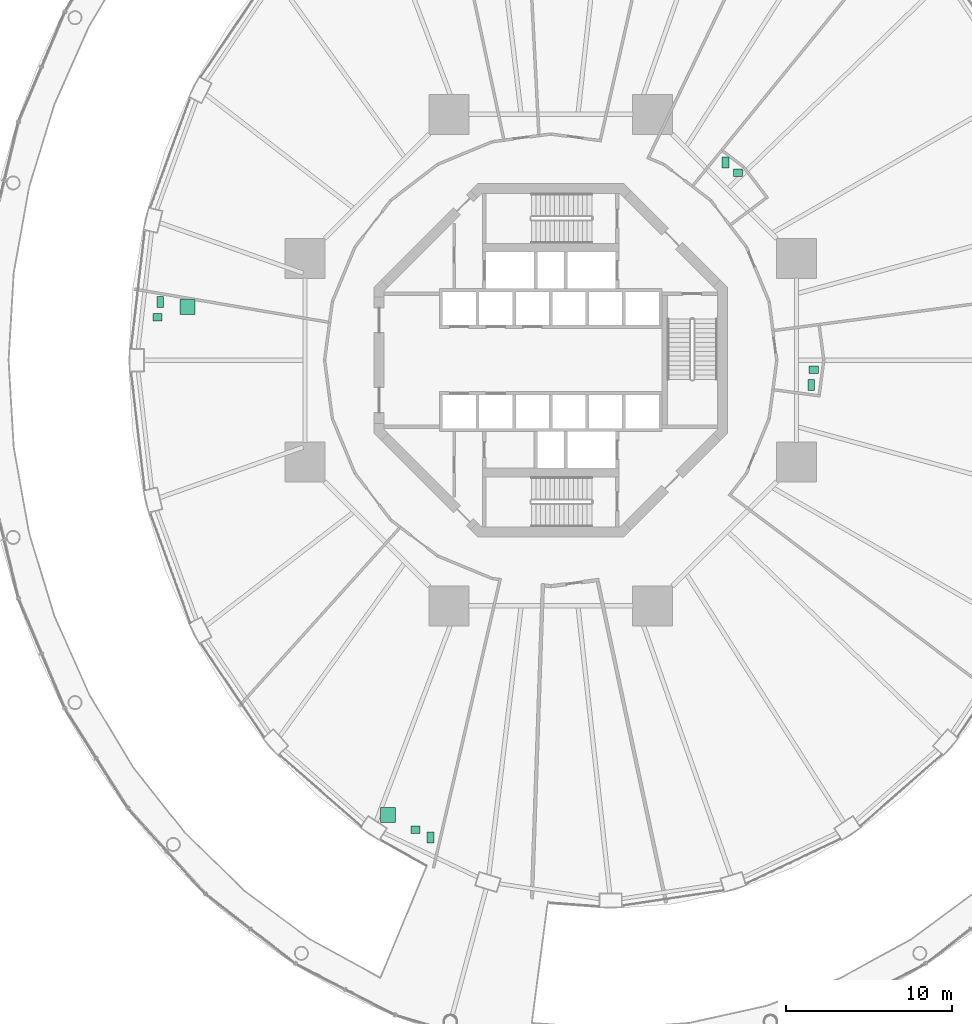
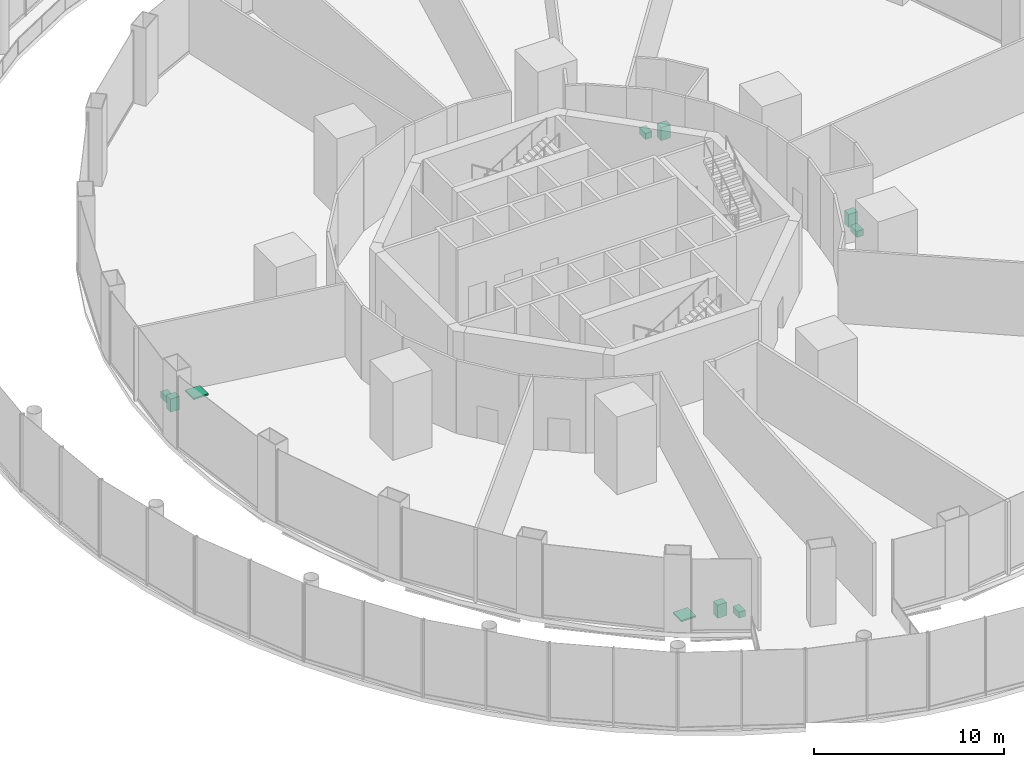
# One storey, part 47 of 47: 10 sanitary terminals.
"""IFC4 building model written with IfcOpenShell, lengths in metres."""

from ifc_helpers import new_model, si_unit, direction, frame, origin, origin_2d, place, context, subcontext, project, spatial, rectangle, extrude, material, type_object, element, save


model = new_model("IFC4")

# Units and contexts
model_context = context("Model", 3, precision=1e-05, world=origin(), true_north=direction((0.0, 1.0)))
body_context = subcontext(model_context, "Body", "Model", "MODEL_VIEW")
ifc_project = project(units=[si_unit("LENGTHUNIT", "METRE"), si_unit("AREAUNIT", "SQUARE_METRE"), si_unit("VOLUMEUNIT", "CUBIC_METRE"), si_unit("PLANEANGLEUNIT", "RADIAN"), si_unit("MASSUNIT", "GRAM", prefix="KILO")], contexts=[model_context])

# Site, building, storey
site_placement = place(None, origin())
site = spatial("IfcSite", under=ifc_project, at=site_placement, CompositionType="ELEMENT")
building_placement = place(site_placement, origin())
building = spatial("IfcBuilding", under=site, at=building_placement, Name="Nagisa Residences", CompositionType="ELEMENT")
storey_placement = place(building_placement, frame((0.0, 0.0, 7.0)))
storey = spatial("IfcBuildingStorey", under=building, at=storey_placement, Name="L01", CompositionType="ELEMENT", Elevation=7.0)

# Sanitary terminals
ifc_material_1 = material(Name="Acrylic")
sanitary_terminal_type_1 = type_object("IfcSanitaryTerminalType", Name="Shower tray", PredefinedType="SHOWER", material=ifc_material_1)
for number, where, z_axis, x_axis, name in (
    (1, (-21.846923828125, 3.193115234375, 0.0), (0.0, 0.0, 1.0), (1.0, 0.0, 0.0), "fix:L01:r6:shower"),
    (2, (-9.781005859375, -27.362060546875, 0.0), (0.0, 0.0, 1.0), (1.0, 0.0, 0.0), "fix:L01:r7:shower"),
):
    element("IfcSanitaryTerminal", number, at=place(storey_placement, frame(where, z_axis=z_axis, x_axis=x_axis)), inside=storey, type_object=sanitary_terminal_type_1, Name=name, PredefinedType="SHOWER", context=body_context, shape_type="SweptSolid", body=[
        extrude(rectangle(XDim=0.89990234375, YDim=0.89990234375, at=origin_2d()), origin(), (0.0, 0.0, 1.0), 0.10009765625),
    ])
ifc_material_2 = material(Name="Vitreous china")
sanitary_terminal_type_2 = type_object("IfcSanitaryTerminalType", Name="WC pan", PredefinedType="WCSEAT", material=ifc_material_2)
for number, where, z_axis, x_axis, name in (
    (3, (10.510986328125, 11.886962890625, 0.0), (0.0, 0.0, 1.0), (1.0, 0.0, 0.0), "fix:L01:r0t1p0:wc"),
    (4, (-23.4970703125, 3.492919921875, 0.0), (0.0, 0.0, 1.0), (1.0, 0.0, 0.0), "fix:L01:r6:wc"),
    (5, (-7.23095703125, -28.7119140625, 0.0), (0.0, 0.0, 1.0), (1.0, 0.0, 0.0), "fix:L01:r7:wc"),
    (6, (15.6708984375, -1.487060546875, 0.0), (0.0, 0.0, 1.0), (1.0, 0.0, 0.0), "fix:L01:r11t16p0:wc"),
):
    element("IfcSanitaryTerminal", number, at=place(storey_placement, frame(where, z_axis=z_axis, x_axis=x_axis)), inside=storey, type_object=sanitary_terminal_type_2, Name=name, PredefinedType="WCSEAT", context=body_context, shape_type="SweptSolid", body=[
        extrude(rectangle(XDim=0.39990234375, YDim=0.64990234375, at=origin_2d()), origin(), (0.0, 0.0, 1.0), 0.39990234375),
    ])
ifc_material_3 = material(Name="Vitreous china")
sanitary_terminal_type_3 = type_object("IfcSanitaryTerminalType", Name="Wash basin", PredefinedType="WASHHANDBASIN", material=ifc_material_3)
for number, where, z_axis, x_axis, name in (
    (7, (11.260986328125, 11.287109375, 0.0), (0.0, 0.0, 1.0), (1.0, 0.0, 0.0), "fix:L01:r0t1p0:basin"),
    (8, (-23.64697265625, 2.593017578125, 0.0), (0.0, 0.0, 1.0), (1.0, 0.0, 0.0), "fix:L01:r6:basin"),
    (9, (-8.131103515625, -28.261962890625, 0.0), (0.0, 0.0, 1.0), (1.0, 0.0, 0.0), "fix:L01:r7:basin"),
    (10, (15.821044921875, -0.5869140625, 0.0), (0.0, 0.0, 1.0), (1.0, 0.0, 0.0), "fix:L01:r11t16p0:basin"),
):
    element("IfcSanitaryTerminal", number, at=place(storey_placement, frame(where, z_axis=z_axis, x_axis=x_axis)), inside=storey, type_object=sanitary_terminal_type_3, Name=name, PredefinedType="WASHHANDBASIN", context=body_context, shape_type="SweptSolid", body=[
        extrude(rectangle(XDim=0.550048828125, YDim=0.449951171875, at=origin_2d()), origin(), (0.0, 0.0, 1.0), 0.85009765625),
    ])

save(model, "model.ifc")
